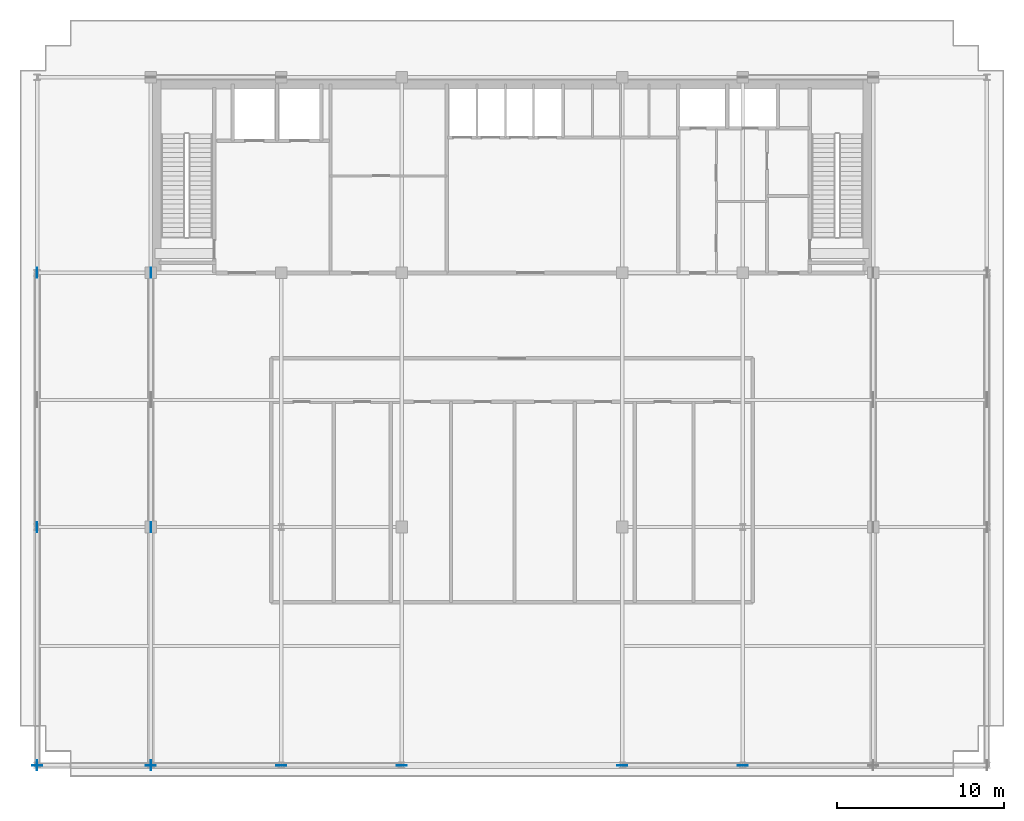
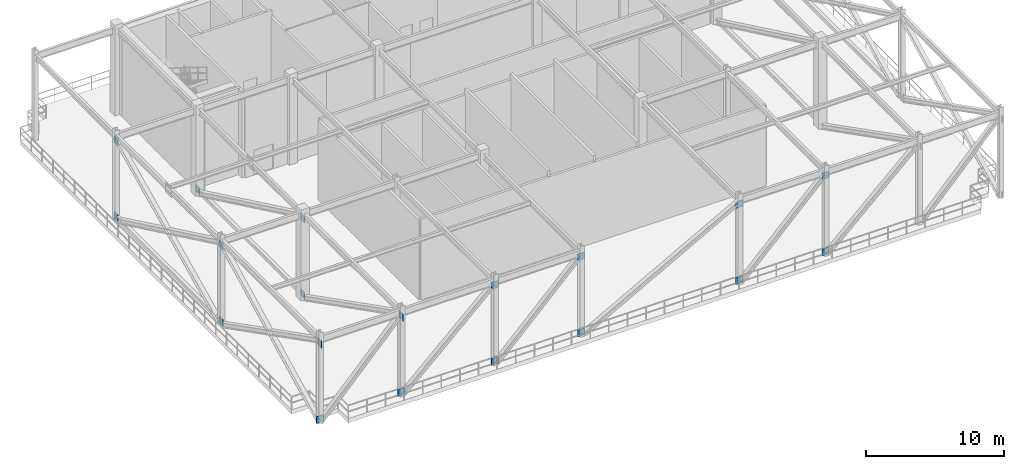
# One storey, part 6 of 14: 19 plates.
"""IFC4 building model written with IfcOpenShell, lengths in metres."""

from ifc_helpers import new_model, si_unit, direction, frame, origin, origin_2d, place, context, subcontext, project, spatial, rectangle, extrude, source, transform, mapped, material, layer, layer_set, type_object, element, save


model = new_model("IFC4")

# Units and contexts
model_context = context("Model", 3, precision=1e-05, world=origin(), true_north=direction((0.0, 1.0)))
body_context = subcontext(model_context, "Body", "Model", "MODEL_VIEW")
ifc_project = project(units=[si_unit("LENGTHUNIT", "METRE"), si_unit("AREAUNIT", "SQUARE_METRE"), si_unit("VOLUMEUNIT", "CUBIC_METRE"), si_unit("PLANEANGLEUNIT", "RADIAN"), si_unit("MASSUNIT", "GRAM", prefix="KILO")], contexts=[model_context])

# Site, building, storey
site_placement = place(None, origin())
site = spatial("IfcSite", under=ifc_project, at=site_placement, CompositionType="ELEMENT")
building_placement = place(site_placement, origin())
building = spatial("IfcBuilding", under=site, at=building_placement, Name="Trelvane Seafront Commons", CompositionType="ELEMENT")
storey_placement = place(building_placement, frame((0.0, 0.0, 182.5)))
storey = spatial("IfcBuildingStorey", under=building, at=storey_placement, Name="L48", CompositionType="ELEMENT", Elevation=182.5)

# Plates
ifc_material = material(Name="Steel SM355 (S355)", Category="steel")
ifc_layer = layer(ifc_material, 0.031982421875, Name="STR-PLT-GUS2")
ifc_layer_set = layer_set([ifc_layer], Name="Steel SM355 (S355)")
plate_type = type_object("IfcPlateType", Name="STR-PLT-GUS2", PredefinedType="SHEET", material=ifc_layer_set)
shared_shape_1 = source(origin(), body_context, "Body", "SweptSolid", [
    extrude(rectangle(XDim=0.031982421875, YDim=0.60009765625, at=origin_2d()), origin(), (0.0, 0.0, 1.0), 0.60009765625),
])
for number, where, z_axis, x_axis, name in (
    (1, (8.800048828125, 33.39990234375, -0.02001953125), (0.0, 0.0, 1.0), (1.0, 0.0, 0.0), "L48 Brace Connection Gusset Plate GP-035"),
    (2, (8.800048828125, 18.199951171875, 6.68994140625), (0.0, 0.0, 1.0), (1.0, 0.0, 0.0), "L48 Brace Connection Gusset Plate GP-036"),
    (3, (8.800048828125, 18.199951171875, -0.02001953125), (0.0, 0.0, 1.0), (1.0, 0.0, 0.0), "L48 Brace Connection Gusset Plate GP-037"),
    (4, (8.800048828125, 3.949951171875, 6.68994140625), (0.0, 0.0, 1.0), (1.0, 0.0, 0.0), "L48 Brace Connection Gusset Plate GP-038"),
    (5, (15.60009765625, 33.39990234375, -0.02001953125), (0.0, 0.0, 1.0), (1.0, 0.0, 0.0), "L48 Brace Connection Gusset Plate GP-039"),
    (6, (15.60009765625, 18.199951171875, 6.68994140625), (0.0, 0.0, 1.0), (1.0, 0.0, 0.0), "L48 Brace Connection Gusset Plate GP-040"),
    (7, (15.60009765625, 18.199951171875, -0.02001953125), (0.0, 0.0, 1.0), (1.0, 0.0, 0.0), "L48 Brace Connection Gusset Plate GP-041"),
    (8, (15.60009765625, 3.949951171875, 6.68994140625), (0.0, 0.0, 1.0), (1.0, 0.0, 0.0), "L48 Brace Connection Gusset Plate GP-042"),
    (9, (8.800048828125, 33.39990234375, 6.68994140625), (0.0, 0.0, 1.0), (1.0, 0.0, 0.0), "L48 Brace Connection Gusset Plate GP-066"),
):
    element("IfcPlate", number, at=place(storey_placement, frame(where, z_axis=z_axis, x_axis=x_axis)), inside=storey, type_object=plate_type, Name=name, PredefinedType="SHEET", context=body_context, shape_type="MappedRepresentation", body=[
        mapped(shared_shape_1, transform((0.0, 0.0, 0.0), x_axis=(1.0, 0.0, 0.0), y_axis=(0.0, 1.0, 0.0), z_axis=(0.0, 0.0, 1.0), scale=1.0)),
    ])
shared_shape_2 = source(origin(), body_context, "Body", "SweptSolid", [
    extrude(rectangle(XDim=0.60009765625, YDim=0.031982421875, at=origin_2d()), origin(), (0.0, 0.0, 1.0), 0.60009765625),
])
for number, where, z_axis, x_axis, name in (
    (10, (8.800048828125, 3.949951171875, -0.02001953125), (0.0, 0.0, 1.0), (1.0, 0.0, 0.0), "L48 Brace Connection Gusset Plate GP-051"),
    (11, (15.60009765625, 3.949951171875, -0.02001953125), (0.0, 0.0, 1.0), (1.0, 0.0, 0.0), "L48 Brace Connection Gusset Plate GP-054"),
    (12, (23.39990234375, 3.949951171875, 6.68994140625), (0.0, 0.0, 1.0), (1.0, 0.0, 0.0), "L48 Brace Connection Gusset Plate GP-055"),
    (13, (23.39990234375, 3.949951171875, -0.02001953125), (0.0, 0.0, 1.0), (1.0, 0.0, 0.0), "L48 Brace Connection Gusset Plate GP-058"),
    (14, (30.60009765625, 3.949951171875, 6.68994140625), (0.0, 0.0, 1.0), (1.0, 0.0, 0.0), "L48 Brace Connection Gusset Plate GP-059"),
    (15, (30.60009765625, 3.949951171875, -0.02001953125), (0.0, 0.0, 1.0), (1.0, 0.0, 0.0), "L48 Brace Connection Gusset Plate GP-060"),
    (16, (43.800048828125, 3.949951171875, 6.68994140625), (0.0, 0.0, 1.0), (1.0, 0.0, 0.0), "L48 Brace Connection Gusset Plate GP-061"),
    (17, (43.800048828125, 3.949951171875, -0.02001953125), (0.0, 0.0, 1.0), (1.0, 0.0, 0.0), "L48 Brace Connection Gusset Plate GP-062"),
    (18, (51.0, 3.949951171875, 6.68994140625), (0.0, 0.0, 1.0), (1.0, 0.0, 0.0), "L48 Brace Connection Gusset Plate GP-063"),
    (19, (51.0, 3.949951171875, -0.02001953125), (0.0, 0.0, 1.0), (1.0, 0.0, 0.0), "L48 Brace Connection Gusset Plate GP-064"),
):
    element("IfcPlate", number, at=place(storey_placement, frame(where, z_axis=z_axis, x_axis=x_axis)), inside=storey, type_object=plate_type, Name=name, PredefinedType="SHEET", context=body_context, shape_type="MappedRepresentation", body=[
        mapped(shared_shape_2, transform((0.0, 0.0, 0.0), x_axis=(1.0, 0.0, 0.0), y_axis=(0.0, 1.0, 0.0), z_axis=(0.0, 0.0, 1.0), scale=1.0)),
    ])

save(model, "model.ifc")
